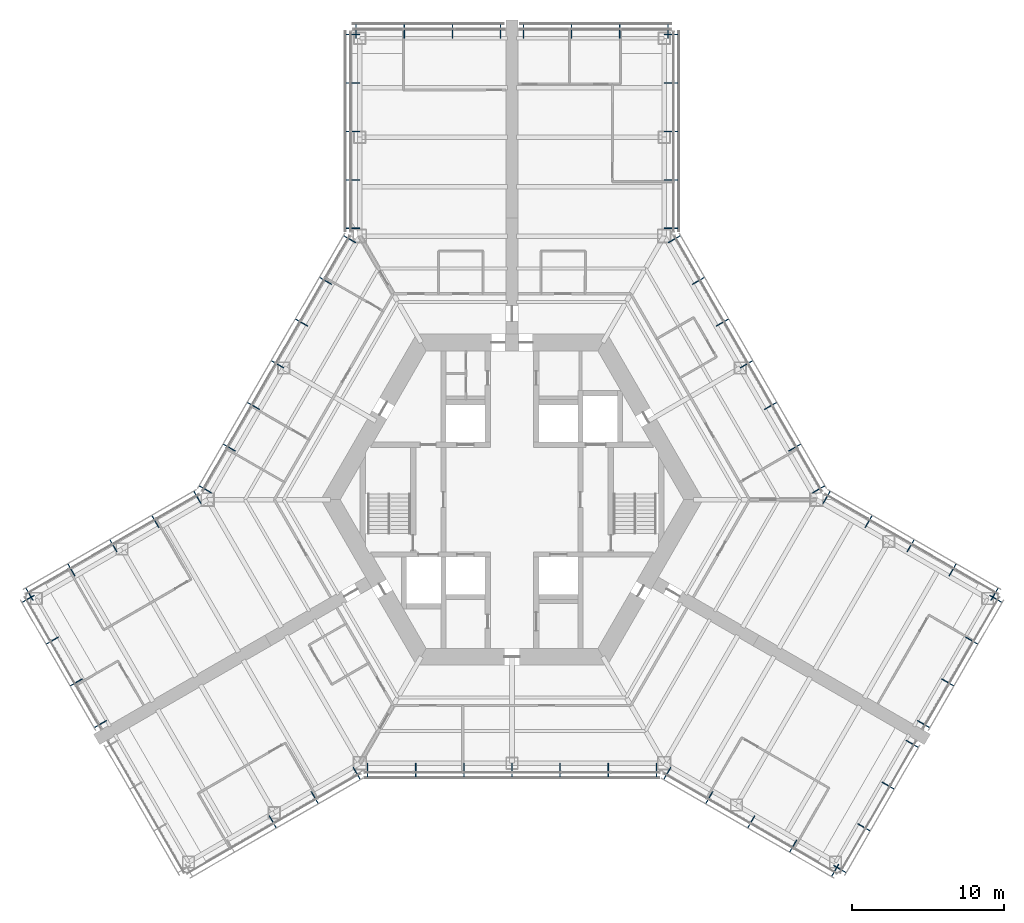
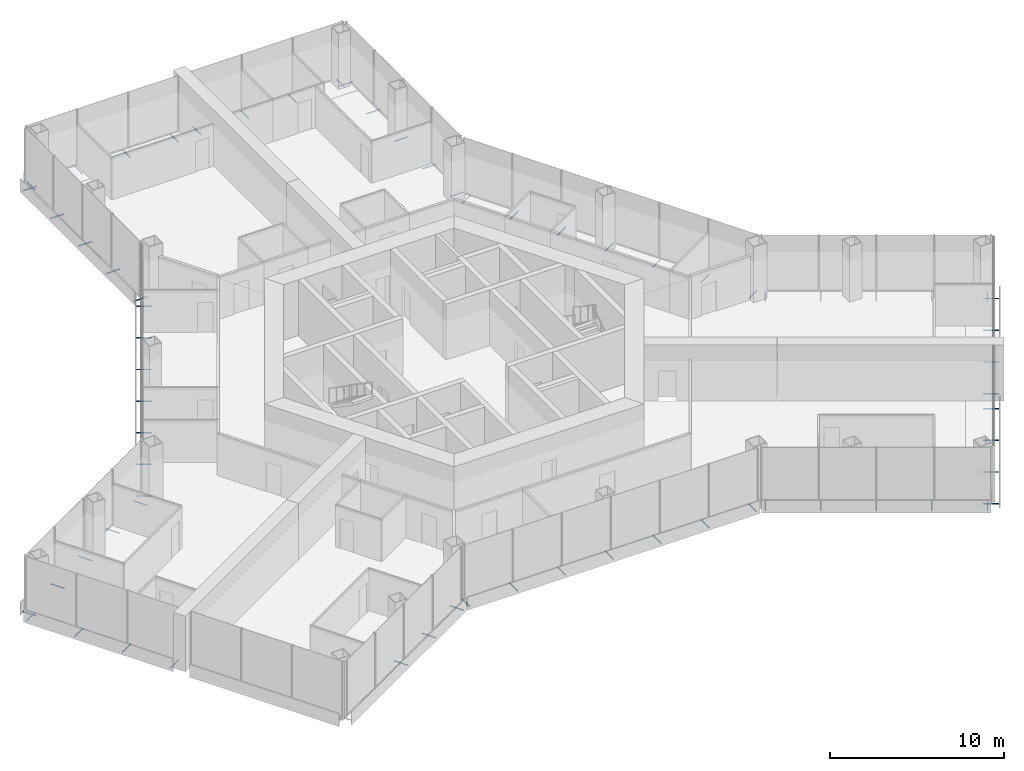
# One storey, part 16 of 18: 69 discrete accessories.
"""IFC4 building model written with IfcOpenShell, lengths in metres."""

from ifc_helpers import new_model, si_unit, direction, frame, origin, origin_2d, place, context, subcontext, project, spatial, hollow_circle, extrude, material, material_profile, profile_set, type_object, element, save


model = new_model("IFC4")

# Units and contexts
model_context = context("Model", 3, precision=1e-05, world=origin(), true_north=direction((0.0, 1.0)))
body_context = subcontext(model_context, "Body", "Model", "MODEL_VIEW")
ifc_project = project(units=[si_unit("LENGTHUNIT", "METRE"), si_unit("AREAUNIT", "SQUARE_METRE"), si_unit("VOLUMEUNIT", "CUBIC_METRE"), si_unit("PLANEANGLEUNIT", "RADIAN"), si_unit("MASSUNIT", "GRAM", prefix="KILO")], contexts=[model_context])

# Site, building, storey
site_placement = place(None, origin())
site = spatial("IfcSite", under=ifc_project, at=site_placement, CompositionType="ELEMENT")
building_placement = place(site_placement, origin())
building = spatial("IfcBuilding", under=site, at=building_placement, Name="Kasaneha Research Tower", CompositionType="ELEMENT")
storey_placement = place(building_placement, frame((0.0, 0.0, 72.89990234375)))
storey = spatial("IfcBuildingStorey", under=building, at=storey_placement, Name="L18", CompositionType="ELEMENT", Elevation=72.89990234375)

# Discrete accessories
ifc_material = material(Name="Steel STK400", Category="steel")
ifc_material_profile = material_profile(ifc_material, hollow_circle(Radius=0.0380859375, WallThickness=0.00390625, at=origin_2d()), Name="CHS-76.3x4.0")
ifc_profile_set = profile_set([ifc_material_profile], Name="Steel STK400")
discrete_accessory_type = type_object("IfcDiscreteAccessoryType", Name="Screen bracket CHS-76.3x4.0", PredefinedType="BRACKET", material=ifc_profile_set)
discrete_accessory_1_placement = place(storey_placement, frame((-15.95849609375, -20.7607421875, -0.2998046875), z_axis=(0.500021113727, -0.866013213425, 0.0), x_axis=(0.866013213425, 0.500021113727, 0.0)))
element("IfcDiscreteAccessory", 1, at=discrete_accessory_1_placement, inside=storey, type_object=discrete_accessory_type, Name="Screen bracket 3", PredefinedType="BRACKET", context=body_context, shape_type="SweptSolid", body=[
    extrude(hollow_circle(Radius=0.0380859375, WallThickness=0.00390625, at=origin_2d()), origin(), (0.0, 0.0, 1.0), 0.919921875),
])
discrete_accessory_2_placement = place(storey_placement, frame((-13.200439453125, -19.168212890625, -0.2998046875), z_axis=(0.499906209203, -0.866079547155, 0.0), x_axis=(0.866079547155, 0.499906209203, 0.0)))
element("IfcDiscreteAccessory", 2, at=discrete_accessory_2_placement, inside=storey, type_object=discrete_accessory_type, Name="Screen bracket 4", PredefinedType="BRACKET", context=body_context, shape_type="SweptSolid", body=[
    extrude(hollow_circle(Radius=0.0380859375, WallThickness=0.00390625, at=origin_2d()), origin(), (0.0, 0.0, 1.0), 0.920166015625),
])
for number, where, z_axis, x_axis, name in (
    (3, (-10.4423828125, -17.575927734375, -0.2998046875), (0.500021113727, -0.866013213425, 0.0), (0.866013213425, 0.500021113727, 0.0), "Screen bracket 5"),
    (4, (-9.4892578125, -17.320556640625, -0.2998046875), (0.0, -1.0, 0.0), (1.0, 0.0, 0.0), "Screen bracket 1"),
    (5, (-6.326171875, -17.320556640625, -0.2998046875), (0.0, -1.0, 0.0), (1.0, 0.0, 0.0), "Screen bracket 2"),
    (6, (-3.1630859375, -17.320556640625, -0.2998046875), (0.0, -1.0, 0.0), (1.0, 0.0, 0.0), "Screen bracket 3"),
    (7, (0.0, -17.320556640625, -0.2998046875), (0.0, -1.0, 0.0), (1.0, 0.0, 0.0), "Screen bracket 4"),
    (8, (3.1630859375, -17.320556640625, -0.2998046875), (0.0, -1.0, 0.0), (1.0, 0.0, 0.0), "Screen bracket 5"),
    (9, (6.326171875, -17.320556640625, -0.2998046875), (0.0, -1.0, 0.0), (1.0, 0.0, 0.0), "Screen bracket 6"),
    (10, (9.4892578125, -17.320556640625, -0.2998046875), (0.0, -1.0, 0.0), (1.0, 0.0, 0.0), "Screen bracket 7"),
    (11, (10.4423828125, -17.575927734375, -0.2998046875), (-0.500021113727, -0.866013213425, 0.0), (0.866013213425, -0.500021113727, 0.0), "Screen bracket 1"),
):
    element("IfcDiscreteAccessory", number, at=place(storey_placement, frame(where, z_axis=z_axis, x_axis=x_axis)), inside=storey, type_object=discrete_accessory_type, Name=name, PredefinedType="BRACKET", context=body_context, shape_type="SweptSolid", body=[
        extrude(hollow_circle(Radius=0.0380859375, WallThickness=0.00390625, at=origin_2d()), origin(), (0.0, 0.0, 1.0), 0.919921875),
    ])
discrete_accessory_3_placement = place(storey_placement, frame((13.200439453125, -19.168212890625, -0.2998046875), z_axis=(-0.499906209203, -0.866079547155, 0.0), x_axis=(0.866079547155, -0.499906209203, 0.0)))
element("IfcDiscreteAccessory", 12, at=discrete_accessory_3_placement, inside=storey, type_object=discrete_accessory_type, Name="Screen bracket 2", PredefinedType="BRACKET", context=body_context, shape_type="SweptSolid", body=[
    extrude(hollow_circle(Radius=0.0380859375, WallThickness=0.00390625, at=origin_2d()), origin(), (0.0, 0.0, 1.0), 0.920166015625),
])
discrete_accessory_4_placement = place(storey_placement, frame((15.95849609375, -20.7607421875, -0.2998046875), z_axis=(-0.500021113727, -0.866013213425, 0.0), x_axis=(0.866013213425, -0.500021113727, 0.0)))
element("IfcDiscreteAccessory", 13, at=discrete_accessory_4_placement, inside=storey, type_object=discrete_accessory_type, Name="Screen bracket 3", PredefinedType="BRACKET", context=body_context, shape_type="SweptSolid", body=[
    extrude(hollow_circle(Radius=0.0380859375, WallThickness=0.00390625, at=origin_2d()), origin(), (0.0, 0.0, 1.0), 0.919921875),
])
discrete_accessory_5_placement = place(storey_placement, frame((18.716796875, -22.35302734375, -0.2998046875), z_axis=(-0.500105201737, -0.865964657013, 0.0), x_axis=(0.865964657013, -0.500105201737, 0.0)))
element("IfcDiscreteAccessory", 14, at=discrete_accessory_5_placement, inside=storey, type_object=discrete_accessory_type, Name="Screen bracket 4", PredefinedType="BRACKET", context=body_context, shape_type="SweptSolid", body=[
    extrude(hollow_circle(Radius=0.0380859375, WallThickness=0.00390625, at=origin_2d()), origin(), (0.0, 0.0, 1.0), 0.920166015625),
])
discrete_accessory_6_placement = place(storey_placement, frame((21.474853515625, -23.945556640625, -0.2998046875), z_axis=(-0.500021113727, -0.866013213425, 0.0), x_axis=(0.866013213425, -0.500021113727, 0.0)))
element("IfcDiscreteAccessory", 15, at=discrete_accessory_6_placement, inside=storey, type_object=discrete_accessory_type, Name="Screen bracket 5", PredefinedType="BRACKET", context=body_context, shape_type="SweptSolid", body=[
    extrude(hollow_circle(Radius=0.0380859375, WallThickness=0.00390625, at=origin_2d()), origin(), (0.0, 0.0, 1.0), 0.919921875),
])
for number, where, z_axis, x_axis, name in (
    (16, (21.13330078125, -24.037109375, -0.2998046875), (0.866079547155, -0.499906209203, 0.0), (0.499906209203, 0.866079547155, 0.0), "Screen bracket 1"),
    (17, (22.716552734375, -21.294677734375, -0.2998046875), (0.866079547155, -0.499906209203, 0.0), (0.499906209203, 0.866079547155, 0.0), "Screen bracket 2"),
):
    element("IfcDiscreteAccessory", number, at=place(storey_placement, frame(where, z_axis=z_axis, x_axis=x_axis)), inside=storey, type_object=discrete_accessory_type, Name=name, PredefinedType="BRACKET", context=body_context, shape_type="SweptSolid", body=[
        extrude(hollow_circle(Radius=0.0380859375, WallThickness=0.00390625, at=origin_2d()), origin(), (0.0, 0.0, 1.0), 0.920166015625),
    ])
discrete_accessory_7_placement = place(storey_placement, frame((24.300048828125, -18.55224609375, -0.2998046875), z_axis=(0.866013213425, -0.500021113727, 0.0), x_axis=(0.500021113727, 0.866013213425, 0.0)))
element("IfcDiscreteAccessory", 18, at=discrete_accessory_7_placement, inside=storey, type_object=discrete_accessory_type, Name="Screen bracket 3", PredefinedType="BRACKET", context=body_context, shape_type="SweptSolid", body=[
    extrude(hollow_circle(Radius=0.0380859375, WallThickness=0.00390625, at=origin_2d()), origin(), (0.0, 0.0, 1.0), 0.919921875),
])
for number, where, z_axis, x_axis, name in (
    (19, (25.88330078125, -15.809814453125, -0.2998046875), (0.866079547155, -0.499906209203, 0.0), (0.499906209203, 0.866079547155, 0.0), "Screen bracket 4"),
    (20, (26.63330078125, -14.5107421875, -0.2998046875), (0.866079547155, -0.499906209203, 0.0), (0.499906209203, 0.866079547155, 0.0), "Screen bracket 1"),
    (21, (28.216552734375, -11.768310546875, -0.2998046875), (0.866079547155, -0.499906209203, 0.0), (0.499906209203, 0.866079547155, 0.0), "Screen bracket 2"),
):
    element("IfcDiscreteAccessory", number, at=place(storey_placement, frame(where, z_axis=z_axis, x_axis=x_axis)), inside=storey, type_object=discrete_accessory_type, Name=name, PredefinedType="BRACKET", context=body_context, shape_type="SweptSolid", body=[
        extrude(hollow_circle(Radius=0.0380859375, WallThickness=0.00390625, at=origin_2d()), origin(), (0.0, 0.0, 1.0), 0.920166015625),
    ])
discrete_accessory_8_placement = place(storey_placement, frame((29.800048828125, -9.02587890625, -0.2998046875), z_axis=(0.866013213425, -0.500021113727, 0.0), x_axis=(0.500021113727, 0.866013213425, 0.0)))
element("IfcDiscreteAccessory", 22, at=discrete_accessory_8_placement, inside=storey, type_object=discrete_accessory_type, Name="Screen bracket 3", PredefinedType="BRACKET", context=body_context, shape_type="SweptSolid", body=[
    extrude(hollow_circle(Radius=0.0380859375, WallThickness=0.00390625, at=origin_2d()), origin(), (0.0, 0.0, 1.0), 0.919921875),
])
discrete_accessory_9_placement = place(storey_placement, frame((31.38330078125, -6.283447265625, -0.2998046875), z_axis=(0.866079547155, -0.499906209203, 0.0), x_axis=(0.499906209203, 0.866079547155, 0.0)))
element("IfcDiscreteAccessory", 23, at=discrete_accessory_9_placement, inside=storey, type_object=discrete_accessory_type, Name="Screen bracket 4", PredefinedType="BRACKET", context=body_context, shape_type="SweptSolid", body=[
    extrude(hollow_circle(Radius=0.0380859375, WallThickness=0.00390625, at=origin_2d()), origin(), (0.0, 0.0, 1.0), 0.920166015625),
])
discrete_accessory_10_placement = place(storey_placement, frame((31.474853515625, -6.625, -0.2998046875), z_axis=(0.500021113727, 0.866013213425, 0.0), x_axis=(-0.866013213425, 0.500021113727, 0.0)))
element("IfcDiscreteAccessory", 24, at=discrete_accessory_10_placement, inside=storey, type_object=discrete_accessory_type, Name="Screen bracket 1", PredefinedType="BRACKET", context=body_context, shape_type="SweptSolid", body=[
    extrude(hollow_circle(Radius=0.0380859375, WallThickness=0.00390625, at=origin_2d()), origin(), (0.0, 0.0, 1.0), 0.919921875),
])
discrete_accessory_11_placement = place(storey_placement, frame((28.716796875, -5.03271484375, -0.2998046875), z_axis=(0.499906209203, 0.866079547155, 0.0), x_axis=(-0.866079547155, 0.499906209203, 0.0)))
element("IfcDiscreteAccessory", 25, at=discrete_accessory_11_placement, inside=storey, type_object=discrete_accessory_type, Name="Screen bracket 2", PredefinedType="BRACKET", context=body_context, shape_type="SweptSolid", body=[
    extrude(hollow_circle(Radius=0.0380859375, WallThickness=0.00390625, at=origin_2d()), origin(), (0.0, 0.0, 1.0), 0.920166015625),
])
discrete_accessory_12_placement = place(storey_placement, frame((25.95849609375, -3.440185546875, -0.2998046875), z_axis=(0.500220121494, 0.865898279276, 0.0), x_axis=(-0.865898279276, 0.500220121494, 0.0)))
element("IfcDiscreteAccessory", 26, at=discrete_accessory_12_placement, inside=storey, type_object=discrete_accessory_type, Name="Screen bracket 3", PredefinedType="BRACKET", context=body_context, shape_type="SweptSolid", body=[
    extrude(hollow_circle(Radius=0.0380859375, WallThickness=0.00390625, at=origin_2d()), origin(), (0.0, 0.0, 1.0), 0.919921875),
])
discrete_accessory_13_placement = place(storey_placement, frame((23.200439453125, -1.847900390625, -0.2998046875), z_axis=(0.499906209203, 0.866079547155, 0.0), x_axis=(-0.866079547155, 0.499906209203, 0.0)))
element("IfcDiscreteAccessory", 27, at=discrete_accessory_13_placement, inside=storey, type_object=discrete_accessory_type, Name="Screen bracket 4", PredefinedType="BRACKET", context=body_context, shape_type="SweptSolid", body=[
    extrude(hollow_circle(Radius=0.0380859375, WallThickness=0.00390625, at=origin_2d()), origin(), (0.0, 0.0, 1.0), 0.920166015625),
])
for number, where, z_axis, x_axis, name in (
    (28, (20.4423828125, -0.25537109375, -0.2998046875), (0.500021113727, 0.866013213425, 0.0), (-0.866013213425, 0.500021113727, 0.0), "Screen bracket 5"),
    (29, (19.74462890625, 0.4423828125, -0.2998046875), (0.866013213425, 0.500021113727, 0.0), (-0.500021113727, 0.866013213425, 0.0), "Screen bracket 1"),
    (30, (18.1630859375, 3.181640625, -0.2998046875), (0.866013213425, 0.500021113727, 0.0), (-0.500021113727, 0.866013213425, 0.0), "Screen bracket 2"),
    (31, (16.58154296875, 5.9208984375, -0.2998046875), (0.866013213425, 0.500021113727, 0.0), (-0.500021113727, 0.866013213425, 0.0), "Screen bracket 3"),
    (32, (15.0, 8.66015625, -0.2998046875), (0.865898279276, 0.500220121494, 0.0), (-0.500220121494, 0.865898279276, 0.0), "Screen bracket 4"),
    (33, (13.41845703125, 11.399658203125, -0.2998046875), (0.866013213425, 0.500021113727, 0.0), (-0.500021113727, 0.866013213425, 0.0), "Screen bracket 5"),
    (34, (11.8369140625, 14.138916015625, -0.2998046875), (0.866013213425, 0.500021113727, 0.0), (-0.500021113727, 0.866013213425, 0.0), "Screen bracket 6"),
):
    element("IfcDiscreteAccessory", number, at=place(storey_placement, frame(where, z_axis=z_axis, x_axis=x_axis)), inside=storey, type_object=discrete_accessory_type, Name=name, PredefinedType="BRACKET", context=body_context, shape_type="SweptSolid", body=[
        extrude(hollow_circle(Radius=0.0380859375, WallThickness=0.00390625, at=origin_2d()), origin(), (0.0, 0.0, 1.0), 0.919921875),
    ])
discrete_accessory_14_placement = place(storey_placement, frame((10.25537109375, 16.878173828125, -0.2998046875), z_axis=(0.866079547155, 0.499906209203, 0.0), x_axis=(-0.499906209203, 0.866079547155, 0.0)))
element("IfcDiscreteAccessory", 35, at=discrete_accessory_14_placement, inside=storey, type_object=discrete_accessory_type, Name="Screen bracket 7", PredefinedType="BRACKET", context=body_context, shape_type="SweptSolid", body=[
    extrude(hollow_circle(Radius=0.0380859375, WallThickness=0.00390625, at=origin_2d()), origin(), (0.0, 0.0, 1.0), 0.920166015625),
])
for number, where, z_axis, x_axis, name in (
    (36, (10.0, 17.831298828125, -0.2998046875), (1.0, 0.0, 0.0), (0.0, 1.0, 0.0), "Screen bracket 1"),
    (37, (10.0, 21.01611328125, -0.2998046875), (1.0, 0.0, 0.0), (0.0, 1.0, 0.0), "Screen bracket 2"),
    (38, (10.0, 24.200927734375, -0.2998046875), (1.0, 0.0, 0.0), (0.0, 1.0, 0.0), "Screen bracket 3"),
    (39, (10.0, 27.3857421875, -0.2998046875), (1.0, 0.0, 0.0), (0.0, 1.0, 0.0), "Screen bracket 4"),
    (40, (10.0, 30.570556640625, -0.2998046875), (1.0, 0.0, 0.0), (0.0, 1.0, 0.0), "Screen bracket 5"),
    (41, (10.25, 30.320556640625, -0.2998046875), (0.0, 1.0, 0.0), (-1.0, 0.0, 0.0), "Screen bracket 1"),
    (42, (7.083251953125, 30.320556640625, -0.2998046875), (0.0, 1.0, 0.0), (-1.0, 0.0, 0.0), "Screen bracket 2"),
    (43, (3.916748046875, 30.320556640625, -0.2998046875), (0.0, 1.0, 0.0), (-1.0, 0.0, 0.0), "Screen bracket 3"),
    (44, (0.75, 30.320556640625, -0.2998046875), (0.0, 1.0, 0.0), (-1.0, 0.0, 0.0), "Screen bracket 4"),
    (45, (-0.75, 30.320556640625, -0.2998046875), (0.0, 1.0, 0.0), (-1.0, 0.0, 0.0), "Screen bracket 1"),
    (46, (-3.916748046875, 30.320556640625, -0.2998046875), (0.0, 1.0, 0.0), (-1.0, 0.0, 0.0), "Screen bracket 2"),
    (47, (-7.083251953125, 30.320556640625, -0.2998046875), (0.0, 1.0, 0.0), (-1.0, 0.0, 0.0), "Screen bracket 3"),
    (48, (-10.25, 30.320556640625, -0.2998046875), (0.0, 1.0, 0.0), (-1.0, 0.0, 0.0), "Screen bracket 4"),
    (49, (-10.0, 30.570556640625, -0.2998046875), (-1.0, 0.0, 0.0), (0.0, -1.0, 0.0), "Screen bracket 1"),
    (50, (-10.0, 27.3857421875, -0.2998046875), (-1.0, 0.0, 0.0), (0.0, -1.0, 0.0), "Screen bracket 2"),
    (51, (-10.0, 24.200927734375, -0.2998046875), (-1.0, 0.0, 0.0), (0.0, -1.0, 0.0), "Screen bracket 3"),
    (52, (-10.0, 21.01611328125, -0.2998046875), (-1.0, 0.0, 0.0), (0.0, -1.0, 0.0), "Screen bracket 4"),
    (53, (-10.0, 17.831298828125, -0.2998046875), (-1.0, 0.0, 0.0), (0.0, -1.0, 0.0), "Screen bracket 5"),
):
    element("IfcDiscreteAccessory", number, at=place(storey_placement, frame(where, z_axis=z_axis, x_axis=x_axis)), inside=storey, type_object=discrete_accessory_type, Name=name, PredefinedType="BRACKET", context=body_context, shape_type="SweptSolid", body=[
        extrude(hollow_circle(Radius=0.0380859375, WallThickness=0.00390625, at=origin_2d()), origin(), (0.0, 0.0, 1.0), 0.919921875),
    ])
discrete_accessory_15_placement = place(storey_placement, frame((-10.25537109375, 16.878173828125, -0.2998046875), z_axis=(-0.866079547155, 0.499906209203, 0.0), x_axis=(-0.499906209203, -0.866079547155, 0.0)))
element("IfcDiscreteAccessory", 54, at=discrete_accessory_15_placement, inside=storey, type_object=discrete_accessory_type, Name="Screen bracket 1", PredefinedType="BRACKET", context=body_context, shape_type="SweptSolid", body=[
    extrude(hollow_circle(Radius=0.0380859375, WallThickness=0.00390625, at=origin_2d()), origin(), (0.0, 0.0, 1.0), 0.920166015625),
])
for number, where, z_axis, x_axis, name in (
    (55, (-11.8369140625, 14.138916015625, -0.2998046875), (-0.866013213425, 0.500021113727, 0.0), (-0.500021113727, -0.866013213425, 0.0), "Screen bracket 2"),
    (56, (-13.41845703125, 11.399658203125, -0.2998046875), (-0.866013213425, 0.500021113727, 0.0), (-0.500021113727, -0.866013213425, 0.0), "Screen bracket 3"),
    (57, (-15.0, 8.66015625, -0.2998046875), (-0.865898279276, 0.500220121494, 0.0), (-0.500220121494, -0.865898279276, 0.0), "Screen bracket 4"),
    (58, (-16.58154296875, 5.9208984375, -0.2998046875), (-0.866013213425, 0.500021113727, 0.0), (-0.500021113727, -0.866013213425, 0.0), "Screen bracket 5"),
    (59, (-18.1630859375, 3.181640625, -0.2998046875), (-0.866013213425, 0.500021113727, 0.0), (-0.500021113727, -0.866013213425, 0.0), "Screen bracket 6"),
    (60, (-19.74462890625, 0.4423828125, -0.2998046875), (-0.866013213425, 0.500021113727, 0.0), (-0.500021113727, -0.866013213425, 0.0), "Screen bracket 7"),
    (61, (-20.4423828125, -0.25537109375, -0.2998046875), (-0.500021113727, 0.866013213425, 0.0), (-0.866013213425, -0.500021113727, 0.0), "Screen bracket 1"),
):
    element("IfcDiscreteAccessory", number, at=place(storey_placement, frame(where, z_axis=z_axis, x_axis=x_axis)), inside=storey, type_object=discrete_accessory_type, Name=name, PredefinedType="BRACKET", context=body_context, shape_type="SweptSolid", body=[
        extrude(hollow_circle(Radius=0.0380859375, WallThickness=0.00390625, at=origin_2d()), origin(), (0.0, 0.0, 1.0), 0.919921875),
    ])
discrete_accessory_16_placement = place(storey_placement, frame((-23.200439453125, -1.847900390625, -0.2998046875), z_axis=(-0.499906209203, 0.866079547155, 0.0), x_axis=(-0.866079547155, -0.499906209203, 0.0)))
element("IfcDiscreteAccessory", 62, at=discrete_accessory_16_placement, inside=storey, type_object=discrete_accessory_type, Name="Screen bracket 2", PredefinedType="BRACKET", context=body_context, shape_type="SweptSolid", body=[
    extrude(hollow_circle(Radius=0.0380859375, WallThickness=0.00390625, at=origin_2d()), origin(), (0.0, 0.0, 1.0), 0.920166015625),
])
discrete_accessory_17_placement = place(storey_placement, frame((-25.95849609375, -3.440185546875, -0.2998046875), z_axis=(-0.500220121494, 0.865898279276, 0.0), x_axis=(-0.865898279276, -0.500220121494, 0.0)))
element("IfcDiscreteAccessory", 63, at=discrete_accessory_17_placement, inside=storey, type_object=discrete_accessory_type, Name="Screen bracket 3", PredefinedType="BRACKET", context=body_context, shape_type="SweptSolid", body=[
    extrude(hollow_circle(Radius=0.0380859375, WallThickness=0.00390625, at=origin_2d()), origin(), (0.0, 0.0, 1.0), 0.919921875),
])
discrete_accessory_18_placement = place(storey_placement, frame((-28.716796875, -5.03271484375, -0.2998046875), z_axis=(-0.499906209203, 0.866079547155, 0.0), x_axis=(-0.866079547155, -0.499906209203, 0.0)))
element("IfcDiscreteAccessory", 64, at=discrete_accessory_18_placement, inside=storey, type_object=discrete_accessory_type, Name="Screen bracket 4", PredefinedType="BRACKET", context=body_context, shape_type="SweptSolid", body=[
    extrude(hollow_circle(Radius=0.0380859375, WallThickness=0.00390625, at=origin_2d()), origin(), (0.0, 0.0, 1.0), 0.920166015625),
])
discrete_accessory_19_placement = place(storey_placement, frame((-31.474853515625, -6.625, -0.2998046875), z_axis=(-0.500021113727, 0.866013213425, 0.0), x_axis=(-0.866013213425, -0.500021113727, 0.0)))
element("IfcDiscreteAccessory", 65, at=discrete_accessory_19_placement, inside=storey, type_object=discrete_accessory_type, Name="Screen bracket 5", PredefinedType="BRACKET", context=body_context, shape_type="SweptSolid", body=[
    extrude(hollow_circle(Radius=0.0380859375, WallThickness=0.00390625, at=origin_2d()), origin(), (0.0, 0.0, 1.0), 0.919921875),
])
discrete_accessory_20_placement = place(storey_placement, frame((-31.38330078125, -6.283447265625, -0.2998046875), z_axis=(-0.866079547155, -0.499906209203, 0.0), x_axis=(0.499906209203, -0.866079547155, 0.0)))
element("IfcDiscreteAccessory", 66, at=discrete_accessory_20_placement, inside=storey, type_object=discrete_accessory_type, Name="Screen bracket 1", PredefinedType="BRACKET", context=body_context, shape_type="SweptSolid", body=[
    extrude(hollow_circle(Radius=0.0380859375, WallThickness=0.00390625, at=origin_2d()), origin(), (0.0, 0.0, 1.0), 0.920166015625),
])
discrete_accessory_21_placement = place(storey_placement, frame((-29.800048828125, -9.02587890625, -0.2998046875), z_axis=(-0.866013213425, -0.500021113727, 0.0), x_axis=(0.500021113727, -0.866013213425, 0.0)))
element("IfcDiscreteAccessory", 67, at=discrete_accessory_21_placement, inside=storey, type_object=discrete_accessory_type, Name="Screen bracket 2", PredefinedType="BRACKET", context=body_context, shape_type="SweptSolid", body=[
    extrude(hollow_circle(Radius=0.0380859375, WallThickness=0.00390625, at=origin_2d()), origin(), (0.0, 0.0, 1.0), 0.919921875),
])
for number, where, z_axis, x_axis, name in (
    (68, (-28.216552734375, -11.768310546875, -0.2998046875), (-0.866079547155, -0.499906209203, 0.0), (0.499906209203, -0.866079547155, 0.0), "Screen bracket 3"),
    (69, (-26.63330078125, -14.5107421875, -0.2998046875), (-0.866079547155, -0.499906209203, 0.0), (0.499906209203, -0.866079547155, 0.0), "Screen bracket 4"),
):
    element("IfcDiscreteAccessory", number, at=place(storey_placement, frame(where, z_axis=z_axis, x_axis=x_axis)), inside=storey, type_object=discrete_accessory_type, Name=name, PredefinedType="BRACKET", context=body_context, shape_type="SweptSolid", body=[
        extrude(hollow_circle(Radius=0.0380859375, WallThickness=0.00390625, at=origin_2d()), origin(), (0.0, 0.0, 1.0), 0.920166015625),
    ])

save(model, "model.ifc")
